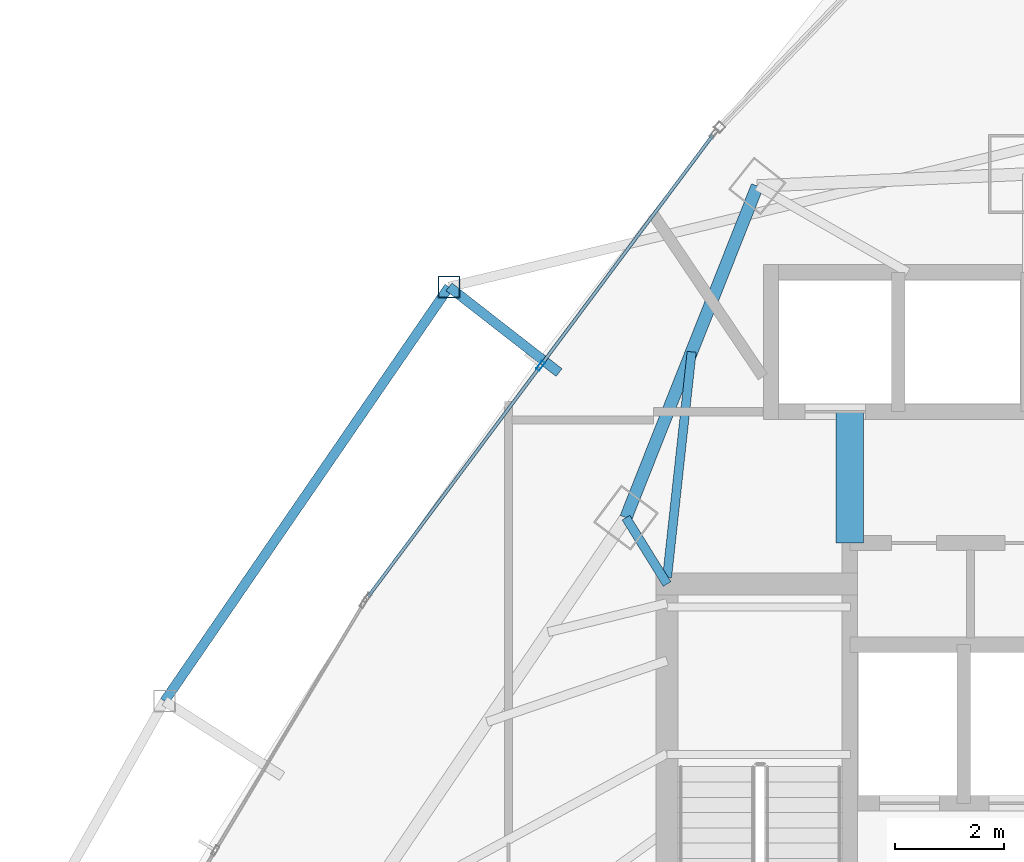
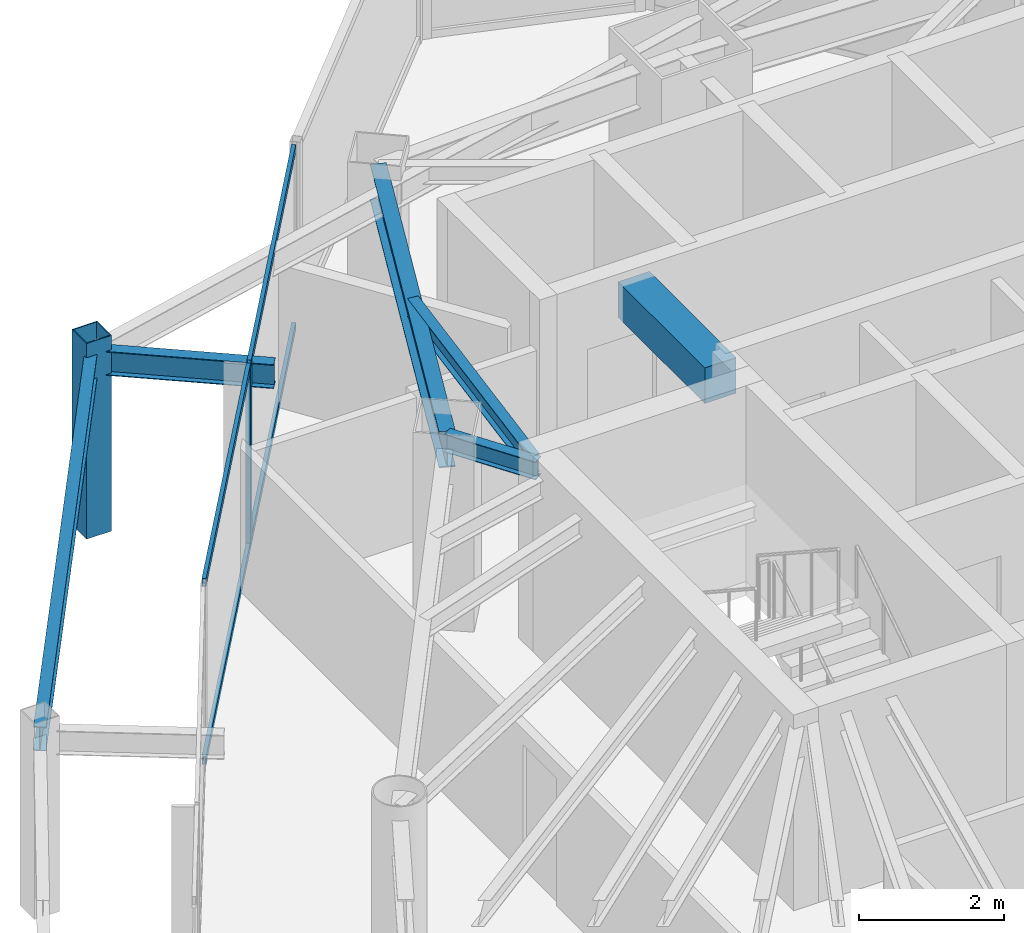
# One storey, part 21 of 30: 6 beams, 6 members, 1 element without a shape of its own.
"""IFC4 building model written with IfcOpenShell, lengths in metres."""

from ifc_helpers import new_model, si_unit, direction, frame, origin, origin_2d, place, context, subcontext, project, spatial, rectangle, hollow_rectangle, i_section, extrude, material, layer, layer_set, material_profile, profile_set, type_object, element, aggregate, save


model = new_model("IFC4")

# Units and contexts
model_context = context("Model", 3, precision=1e-05, world=origin(), true_north=direction((0.0, 1.0)))
body_context = subcontext(model_context, "Body", "Model", "MODEL_VIEW")
ifc_project = project(units=[si_unit("LENGTHUNIT", "METRE"), si_unit("AREAUNIT", "SQUARE_METRE"), si_unit("VOLUMEUNIT", "CUBIC_METRE"), si_unit("PLANEANGLEUNIT", "RADIAN"), si_unit("MASSUNIT", "GRAM", prefix="KILO")], contexts=[model_context])

# Site, building, storey
site_placement = place(None, origin())
site = spatial("IfcSite", under=ifc_project, at=site_placement, CompositionType="ELEMENT")
building_placement = place(site_placement, origin())
building = spatial("IfcBuilding", under=site, at=building_placement, Name="Orvanel Arch Residences", CompositionType="ELEMENT")
storey_placement = place(building_placement, frame((0.0, 0.0, 180.35009765625)))
storey = spatial("IfcBuildingStorey", under=building, at=storey_placement, Name="L51", CompositionType="ELEMENT", Elevation=180.35009765625)

# Beams
ifc_material_1 = material(Name="Structural steel AS/NZS 3679.1 Grade 300 (300 MPa)", Category="steel")
ifc_material_profile_1 = material_profile(ifc_material_1, i_section(OverallWidth=0.1650390625, OverallDepth=0.303955078125, WebThickness=0.006103515625, FlangeThickness=0.01025390625, at=origin_2d()), Name="310UB40.4")
ifc_profile_set_1 = profile_set([ifc_material_profile_1], Name="Structural steel AS/NZS 3679.1 Grade 300 (300 MPa)")
beam_type_1 = type_object("IfcBeamType", Name="BJ-310UB", PredefinedType="JOIST", material=ifc_profile_set_1)
beam_1_placement = place(storey_placement, frame((26.39990234375, 33.89990234375, 2.907958984375), z_axis=(-0.526843290616, 0.84996243866, 0.0), x_axis=(-0.84996243866, -0.526843290616, 0.0)))
element("IfcBeam", 1, at=beam_1_placement, inside=storey, type_object=beam_type_1, Name="L51 NNW Wing Floor Joist", PredefinedType="JOIST", context=body_context, shape_type="SweptSolid", body=[
    extrude(i_section(OverallWidth=0.1650390625, OverallDepth=0.303955078125, WebThickness=0.006103515625, FlangeThickness=0.01025390625, at=origin_2d()), origin(), (0.0, 0.0, 1.0), 1.42724609375),
])
beam_2_placement = place(storey_placement, frame((26.39990234375, 34.02001953125, 2.907958984375), z_axis=(0.108261441852, 0.99412245735, 0.0), x_axis=(-0.99412245735, 0.108261441852, 0.0)))
element("IfcBeam", 2, at=beam_2_placement, inside=storey, type_object=beam_type_1, Name="L51 NNW2 Wing Floor Joist", PredefinedType="JOIST", context=body_context, shape_type="SweptSolid", body=[
    extrude(i_section(OverallWidth=0.1650390625, OverallDepth=0.303955078125, WebThickness=0.006103515625, FlangeThickness=0.01025390625, at=origin_2d()), origin(), (0.0, 0.0, 1.0), 4.1494140625),
])
ifc_material_2 = material(Name="Concrete S65 (65 MPa)", Category="concrete")
ifc_material_profile_2 = material_profile(ifc_material_2, rectangle(XDim=0.5, YDim=0.60009765625, at=origin_2d()), Name="RC500x600")
ifc_profile_set_2 = profile_set([ifc_material_profile_2], Name="Concrete S65 (65 MPa)")
beam_type_2 = type_object("IfcBeamType", Name="CB-500x600", PredefinedType="LINTEL", material=ifc_profile_set_2)
beam_3_placement = place(storey_placement, frame((29.739990234375, 34.64990234375, 2.760009765625), z_axis=(0.0, 1.0, 0.0), x_axis=(-1.0, 0.0, 0.0)))
element("IfcBeam", 3, at=beam_3_placement, inside=storey, type_object=beam_type_2, Name="L51 West Core Lobby Coupling Lintel Beam", PredefinedType="LINTEL", context=body_context, shape_type="SweptSolid", body=[
    extrude(rectangle(XDim=0.5, YDim=0.60009765625, at=origin_2d()), origin(), (0.0, 0.0, 1.0), 2.400146484375),
])

# Curtain wall, member
ifc_material_3 = material(Name="Bronze-anodised aluminium AA6063-T6", Category="aluminium")
ifc_layer = layer(ifc_material_3, 0.179931640625)
ifc_layer_set = layer_set([ifc_layer], Name="Bronze-anodised aluminium AA6063-T6")
curtain_wall_type = type_object("IfcCurtainWallType", Name="CW3-MID-SYS", PredefinedType="NOTDEFINED", material=ifc_layer_set)
curtain_wall_placement = place(storey_placement, origin())
curtain_wall = element("IfcCurtainWall", 4, at=curtain_wall_placement, inside=storey, type_object=curtain_wall_type, Name="L51 CW3-MID-SYS Unitised Curtain Wall", PredefinedType="NOTDEFINED")
ifc_material_profile_3 = material_profile(ifc_material_3, hollow_rectangle(XDim=0.070068359375, YDim=0.179931640625, WallThickness=0.00439453125, at=origin_2d()), Name="ALU180x70x4.5")
ifc_profile_set_3 = profile_set([ifc_material_profile_3], Name="Bronze-anodised aluminium AA6063-T6")
member_type_1 = type_object("IfcMemberType", Name="MUL-180x70", PredefinedType="MULLION", material=ifc_profile_set_3)
member_1_placement = place(storey_placement, frame((24.0869140625, 37.89111328125, 0.0), z_axis=(0.0, 0.0, 1.0), x_axis=(0.801167631356, -0.598439994041, 0.0)))
member_1 = element("IfcMember", 5, at=member_1_placement, type_object=member_type_1, Name="CW-S3 mullion 2", PredefinedType="MULLION", context=body_context, shape_type="SweptSolid", body=[
    extrude(hollow_rectangle(XDim=0.070068359375, YDim=0.179931640625, WallThickness=0.00439453125, at=origin_2d()), origin(), (0.0, 0.0, 1.0), 3.059814453125),
])

# Beams
ifc_material_profile_4 = material_profile(ifc_material_1, i_section(OverallWidth=0.177978515625, OverallDepth=0.406005859375, WebThickness=0.0078125, FlangeThickness=0.0126953125, at=origin_2d()), Name="410UB59.7")
ifc_profile_set_4 = profile_set([ifc_material_profile_4], Name="Structural steel AS/NZS 3679.1 Grade 300 (300 MPa)")
beam_type_3 = type_object("IfcBeamType", Name="OB-410UB-EXT", PredefinedType="SPANDREL", material=ifc_profile_set_4)
beam_4_placement = place(storey_placement, frame((24.425048828125, 37.76611328125, 2.85693359375), z_axis=(-0.788965432222, 0.61443758573, 0.0), x_axis=(-0.61443758573, -0.788965432222, 0.0)))
element("IfcBeam", 6, at=beam_4_placement, inside=storey, type_object=beam_type_3, Name="L51 Outer Frame Radial Tie Beam 01", PredefinedType="SPANDREL", context=body_context, shape_type="SweptSolid", body=[
    extrude(i_section(OverallWidth=0.177978515625, OverallDepth=0.406005859375, WebThickness=0.0078125, FlangeThickness=0.0126953125, at=origin_2d()), origin(), (0.0, 0.0, 1.0), 2.550048828125),
])
beam_5_placement = place(storey_placement, frame((22.4130859375, 39.3330078125, 2.85693359375), z_axis=(-0.566090057787, -0.824343403245, 0.0), x_axis=(0.824343403245, -0.566090057787, 0.0)))
element("IfcBeam", 7, at=beam_5_placement, inside=storey, type_object=beam_type_3, Name="L51 Outer Perimeter Floor Ring Beam 01", PredefinedType="SPANDREL", context=body_context, shape_type="SweptSolid", body=[
    extrude(i_section(OverallWidth=0.177978515625, OverallDepth=0.406005859375, WebThickness=0.0078125, FlangeThickness=0.0126953125, at=origin_2d()), origin(), (0.0, 0.0, 1.0), 9.18798828125),
])
ifc_material_profile_5 = material_profile(ifc_material_1, i_section(OverallWidth=0.22900390625, OverallDepth=0.612060546875, WebThickness=0.011962890625, FlangeThickness=0.01953125, at=origin_2d()), Name="610UB125")
ifc_profile_set_5 = profile_set([ifc_material_profile_5], Name="Structural steel AS/NZS 3679.1 Grade 300 (300 MPa)")
beam_type_4 = type_object("IfcBeamType", Name="SP-610UB", PredefinedType="SPANDREL", material=ifc_profile_set_5)
beam_6_placement = place(storey_placement, frame((28.050048828125, 41.177978515625, 2.75390625), z_axis=(-0.368233143579, -0.929733484376, 0.0), x_axis=(0.929733484376, -0.368233143579, 0.0)))
element("IfcBeam", 8, at=beam_6_placement, inside=storey, type_object=beam_type_4, Name="L51 Perimeter Spandrel Beam 16", PredefinedType="SPANDREL", context=body_context, shape_type="SweptSolid", body=[
    extrude(i_section(OverallWidth=0.22900390625, OverallDepth=0.612060546875, WebThickness=0.011962890625, FlangeThickness=0.01953125, at=origin_2d()), origin(), (0.0, 0.0, 1.0), 6.523193359375),
])

# Member
ifc_material_4 = material(Name="Structural steel AS/NZS 1163 C450L0 (Grade 450)", Category="steel")
ifc_material_profile_6 = material_profile(ifc_material_4, hollow_rectangle(XDim=0.39990234375, YDim=0.39990234375, WallThickness=0.01611328125, at=origin_2d()), Name="SHS400x400x16")
ifc_profile_set_6 = profile_set([ifc_material_profile_6], Name="Structural steel AS/NZS 1163 C450L0 (Grade 450)")
member_type_2 = type_object("IfcMemberType", Name="ST-400SHS-EXT", PredefinedType="STRUT", material=ifc_profile_set_6)
member_2_placement = place(storey_placement, frame((22.4130859375, 39.3330078125, 0.0), z_axis=(0.0, 0.0, 1.0), x_axis=(1.0, 0.0, 0.0)))
element("IfcMember", 9, at=member_2_placement, inside=storey, type_object=member_type_2, Name="L51 Outer Perimeter Frame Post 01", PredefinedType="STRUT", context=body_context, shape_type="SweptSolid", body=[
    extrude(hollow_rectangle(XDim=0.39990234375, YDim=0.39990234375, WallThickness=0.01611328125, at=origin_2d()), origin(), (0.0, 0.0, 1.0), 3.2998046875),
])

ifc_material_profile_7 = material_profile(ifc_material_3, hollow_rectangle(XDim=0.06005859375, YDim=0.135009765625, WallThickness=0.00390625, at=origin_2d()), Name="ALU135x60x4")
ifc_profile_set_7 = profile_set([ifc_material_profile_7], Name="Bronze-anodised aluminium AA6063-T6")
member_type_3 = type_object("IfcMemberType", Name="TRN-135x60", PredefinedType="USERDEFINED", material=ifc_profile_set_7)
member_3_placement = place(storey_placement, frame((27.239013671875, 42.11083984375, 0.02978515625), z_axis=(-0.598431028482, -0.80117432819, 0.0), x_axis=(0.80117432819, -0.598431028482, 0.0)))
member_3 = element("IfcMember", 10, at=member_3_placement, type_object=member_type_3, Name="CW-S3 transom 1.1", ObjectType="TRANSOM", PredefinedType="USERDEFINED", context=body_context, shape_type="SweptSolid", body=[
    extrude(hollow_rectangle(XDim=0.06005859375, YDim=0.135009765625, WallThickness=0.00390625, at=origin_2d()), origin(), (0.0, 0.0, 1.0), 5.232177734375),
])

member_4_placement = place(storey_placement, frame((27.239013671875, 42.11083984375, 3.02978515625), z_axis=(-0.598431028482, -0.80117432819, 0.0), x_axis=(0.80117432819, -0.598431028482, 0.0)))
member_4 = element("IfcMember", 11, at=member_4_placement, type_object=member_type_3, Name="CW-S3 transom 1.2", ObjectType="TRANSOM", PredefinedType="USERDEFINED", context=body_context, shape_type="SweptSolid", body=[
    extrude(hollow_rectangle(XDim=0.06005859375, YDim=0.135009765625, WallThickness=0.00390625, at=origin_2d()), origin(), (0.0, 0.0, 1.0), 5.232177734375),
])

member_5_placement = place(storey_placement, frame((24.066162109375, 37.863037109375, 0.02978515625), z_axis=(-0.59846097819, -0.801151956613, 0.0), x_axis=(0.801151956613, -0.59846097819, 0.0)))
member_5 = element("IfcMember", 12, at=member_5_placement, type_object=member_type_3, Name="CW-S3 transom 2.1", ObjectType="TRANSOM", PredefinedType="USERDEFINED", context=body_context, shape_type="SweptSolid", body=[
    extrude(hollow_rectangle(XDim=0.06005859375, YDim=0.135009765625, WallThickness=0.00390625, at=origin_2d()), origin(), (0.0, 0.0, 1.0), 5.232421875),
])

member_6_placement = place(storey_placement, frame((24.066162109375, 37.863037109375, 3.02978515625), z_axis=(-0.59846097819, -0.801151956613, 0.0), x_axis=(0.801151956613, -0.59846097819, 0.0)))
member_6 = element("IfcMember", 13, at=member_6_placement, type_object=member_type_3, Name="CW-S3 transom 2.2", ObjectType="TRANSOM", PredefinedType="USERDEFINED", context=body_context, shape_type="SweptSolid", body=[
    extrude(hollow_rectangle(XDim=0.06005859375, YDim=0.135009765625, WallThickness=0.00390625, at=origin_2d()), origin(), (0.0, 0.0, 1.0), 5.232421875),
])

aggregate(curtain_wall, [member_1, member_3, member_4, member_5, member_6])

save(model, "model.ifc")
